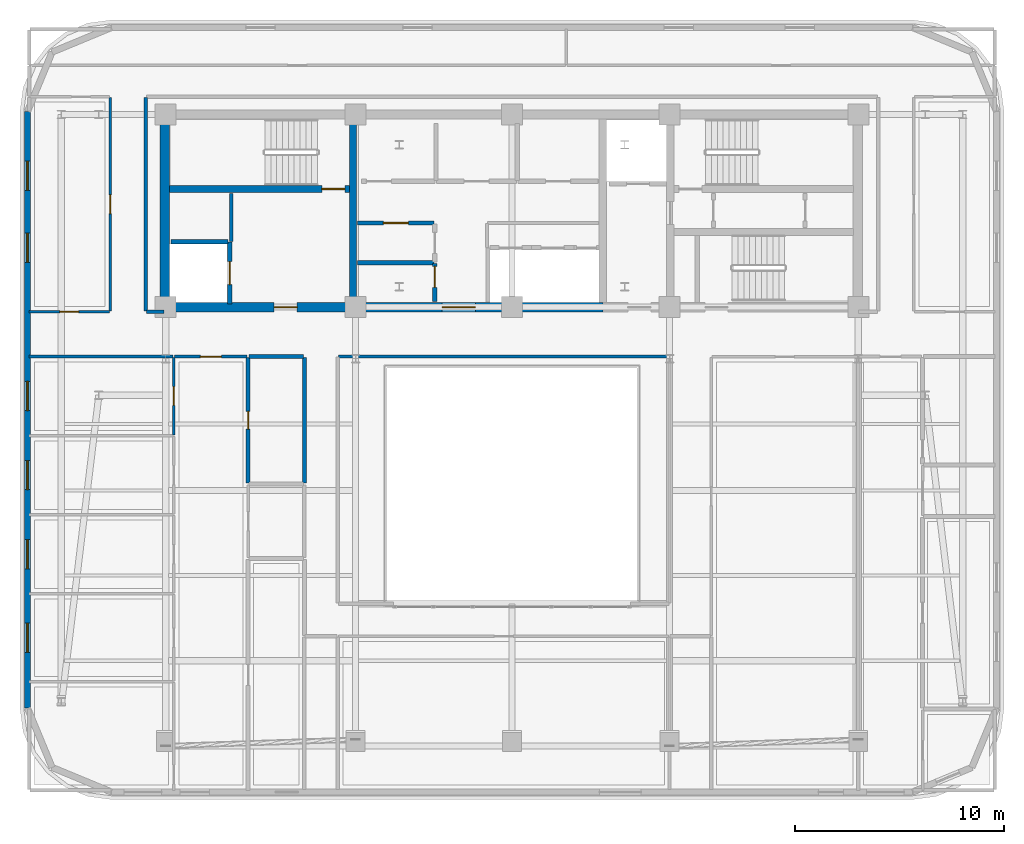
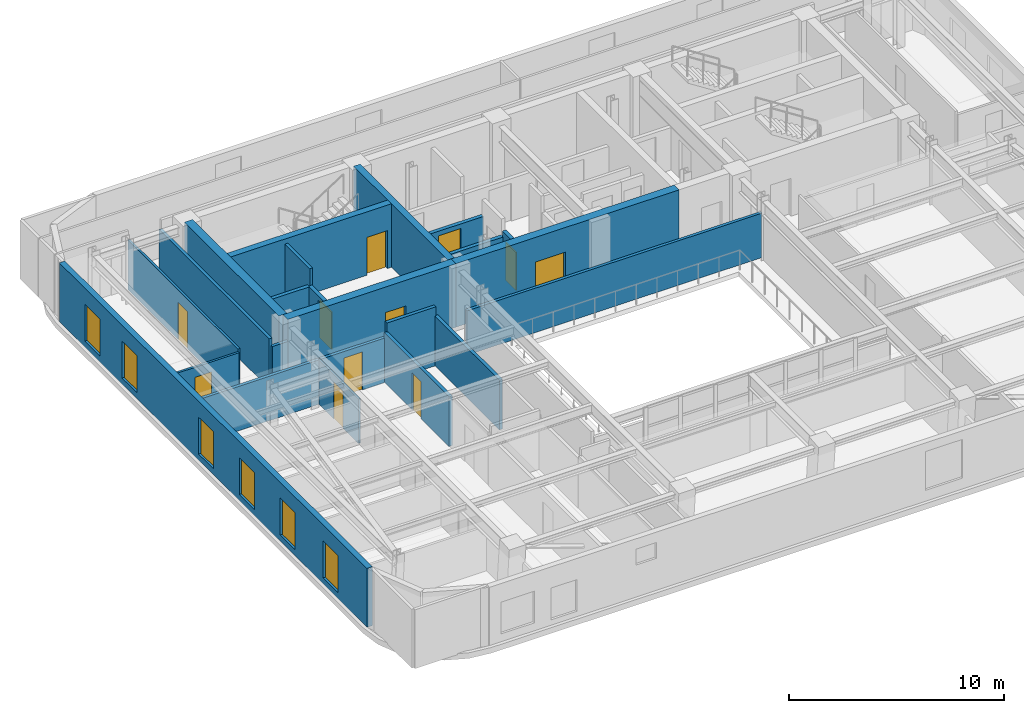
# One storey, part 7 of 14: 23 walls, 11 doors, 6 windows, 17 openings.
"""IFC4 building model written with IfcOpenShell, lengths in metres."""

from ifc_helpers import new_model, si_unit, direction, frame, frame_2d, origin, place, context, subcontext, project, spatial, rectangle, extrude, material, layer, layer_set, type_object, element, fill, save


model = new_model("IFC4")

# Units and contexts
model_context = context("Model", 3, precision=1e-05, world=origin(), true_north=direction((0.0, 1.0)))
body_context = subcontext(model_context, "Body", "Model", "MODEL_VIEW")
ifc_project = project(units=[si_unit("LENGTHUNIT", "METRE"), si_unit("AREAUNIT", "SQUARE_METRE"), si_unit("VOLUMEUNIT", "CUBIC_METRE"), si_unit("PLANEANGLEUNIT", "RADIAN"), si_unit("MASSUNIT", "GRAM", prefix="KILO")], contexts=[model_context])

# Site, building, storey
site_placement = place(None, origin())
site = spatial("IfcSite", under=ifc_project, at=site_placement, CompositionType="ELEMENT")
building_placement = place(site_placement, origin())
building = spatial("IfcBuilding", under=site, at=building_placement, Name="Zarnavel Station Tower", CompositionType="ELEMENT")
storey_placement = place(building_placement, frame((0.0, 0.0, 211.199951171875)))
storey = spatial("IfcBuildingStorey", under=building, at=storey_placement, Name="L57", CompositionType="ELEMENT", Elevation=211.199951171875)

# Wall
ifc_material_1 = material(Name="Concrete C50/60", Category="concrete")
ifc_layer_1 = layer(ifc_material_1, 0.35009765625)
ifc_layer_set_1 = layer_set([ifc_layer_1], Name="CW_350")
wall_type_1 = type_object("IfcWallType", Name="CW_350", PredefinedType="SHEAR", material=ifc_layer_set_1)
wall_1_placement = place(storey_placement, frame((21.179931640625, 28.044921875, 0.0), z_axis=(0.0, 0.0, 1.0), x_axis=(0.0, 1.0, 0.0)))
element("IfcWall", 1, at=wall_1_placement, inside=storey, type_object=wall_type_1, Name="L57 Rear Core Shear Wall DIV-W", PredefinedType="SHEAR", context=body_context, shape_type="SweptSolid", body=[
    extrude(rectangle(XDim=8.780029296875, YDim=0.35009765625, at=frame_2d((4.39013671875, 0.0))), origin(), (0.0, 0.0, 1.0), 3.60009765625),
])

# Wall, opening, door
wall_2_placement = place(storey_placement, frame((21.0048828125, 33.47998046875, 0.0), z_axis=(0.0, 0.0, 1.0), x_axis=(-1.0, 0.0, 0.0)))
wall_2 = element("IfcWall", 2, at=wall_2_placement, inside=storey, type_object=wall_type_1, Name="L57 Rear Core Shear Wall DIV-H1", PredefinedType="SHEAR", context=body_context, shape_type="SweptSolid", body=[
    extrude(rectangle(XDim=8.6298828125, YDim=0.35009765625, at=frame_2d((4.31494140625, 0.0))), origin(), (0.0, 0.0, 1.0), 3.60009765625),
])
opening_1_placement = place(wall_2_placement, frame((0.219970703125, 0.0, 0.0)))
opening_1 = element("IfcOpeningElement", 3, at=opening_1_placement, cuts=wall_2, Name="Opening FD01", PredefinedType="OPENING", context=body_context, shape_type="SweptSolid", body=[
    extrude(rectangle(XDim=1.10009765625, YDim=2.14990234375, at=frame_2d((0.550048828125, 1.074951171875))), frame((0.0, 0.18505859375, 0.0), z_axis=(0.0, -1.0, 0.0), x_axis=(1.0, 0.0, 0.0)), (0.0, 0.0, 1.0), 0.3701171875),
])
ifc_material_2 = material(Name="Painted Galvanised Steel and Hardwood Leaf", Category="steel")
door_type_1 = type_object("IfcDoorType", Name="ID_STAIR_1100", OperationType="NOTDEFINED", PredefinedType="DOOR", material=ifc_material_2)
door_1_placement = place(opening_1_placement, origin())
door_1 = element("IfcDoor", 4, at=door_1_placement, inside=storey, type_object=door_type_1, Name="L57 Stair ST1 Lobby Fire Door", OperationType="SINGLE_SWING_LEFT", OverallHeight=2.14990234375, OverallWidth=1.10009765625, PredefinedType="DOOR", context=body_context, shape_type="SweptSolid", body=[
    extrude(rectangle(XDim=1.10009765625, YDim=2.14990234375, at=frame_2d((0.550048828125, 1.074951171875))), frame((0.0, 0.02490234375, 0.0), z_axis=(0.0, -1.0, 0.0), x_axis=(1.0, 0.0, 0.0)), (0.0, 0.0, 1.0), 0.050048828125),
])
fill(opening_1, door_1)

ifc_material_3 = material(Name="Concrete C50/60", Category="concrete")
ifc_layer_2 = layer(ifc_material_3, 0.449951171875)
ifc_layer_set_2 = layer_set([ifc_layer_2], Name="CW_450")
wall_type_2 = type_object("IfcWallType", Name="CW_450", PredefinedType="SHEAR", material=ifc_layer_set_2)
wall_3_placement = place(storey_placement, frame((21.179931640625, 27.820068359375, 0.0), z_axis=(0.0, 0.0, 1.0), x_axis=(-1.0, 0.0, 0.0)))
wall_3 = element("IfcWall", 5, at=wall_3_placement, inside=storey, type_object=wall_type_2, Name="L57 Rear Core Shear Wall S-W", PredefinedType="SHEAR", context=body_context, shape_type="SweptSolid", body=[
    extrude(rectangle(XDim=9.030029296875, YDim=0.449951171875, at=frame_2d((4.51513671875, 0.0))), origin(), (0.0, 0.0, 1.0), 3.60009765625),
])
opening_2_placement = place(wall_3_placement, frame((2.679931640625, 0.0, 0.0)))
opening_2 = element("IfcOpeningElement", 6, at=opening_2_placement, cuts=wall_3, Name="Opening FD01", PredefinedType="OPENING", context=body_context, shape_type="SweptSolid", body=[
    extrude(rectangle(XDim=1.10009765625, YDim=2.14990234375, at=frame_2d((0.550048828125, 1.074951171875))), frame((0.0, 0.23486328125, 0.0), z_axis=(0.0, -1.0, 0.0), x_axis=(1.0, 0.0, 0.0)), (0.0, 0.0, 1.0), 0.469970703125),
])
door_2_placement = place(opening_2_placement, origin())
door_2 = element("IfcDoor", 7, at=door_2_placement, inside=storey, type_object=door_type_1, Name="L57 West Firefighting Lobby Door", OperationType="SINGLE_SWING_RIGHT", OverallHeight=2.14990234375, OverallWidth=1.10009765625, PredefinedType="DOOR", context=body_context, shape_type="SweptSolid", body=[
    extrude(rectangle(XDim=1.10009765625, YDim=2.14990234375, at=frame_2d((0.550048828125, 1.074951171875))), frame((0.0, 0.02490234375, 0.0), z_axis=(0.0, -1.0, 0.0), x_axis=(1.0, 0.0, 0.0)), (0.0, 0.0, 1.0), 0.050048828125),
])
fill(opening_2, door_2)

wall_4_placement = place(storey_placement, frame((33.14990234375, 27.820068359375, 0.0), z_axis=(0.0, 0.0, 1.0), x_axis=(-1.0, 0.0, 0.0)))
wall_4 = element("IfcWall", 8, at=wall_4_placement, inside=storey, type_object=wall_type_2, Name="L57 Rear Core Shear Wall S-M", PredefinedType="SHEAR", context=body_context, shape_type="SweptSolid", body=[
    extrude(rectangle(XDim=11.969970703125, YDim=0.449951171875, at=frame_2d((5.98486328125, 0.0))), origin(), (0.0, 0.0, 1.0), 3.60009765625),
])
opening_3_placement = place(wall_4_placement, frame((6.10009765625, 0.0, 0.0)))
opening_3 = element("IfcOpeningElement", 9, at=opening_3_placement, cuts=wall_4, Name="Opening ID03", PredefinedType="OPENING", context=body_context, shape_type="SweptSolid", body=[
    extrude(rectangle(XDim=1.60009765625, YDim=2.199951171875, at=frame_2d((0.800048828125, 1.10009765625))), frame((0.0, 0.23486328125, 0.0), z_axis=(0.0, -1.0, 0.0), x_axis=(1.0, 0.0, 0.0)), (0.0, 0.0, 1.0), 0.469970703125),
])
ifc_material_4 = material(Name="Painted Galvanised Steel and Hardwood Leaf", Category="steel")
door_type_2 = type_object("IfcDoorType", Name="ID_PUBLIC_1600", OperationType="DOUBLE_DOOR_SINGLE_SWING", PredefinedType="DOOR", material=ifc_material_4)
door_3_placement = place(opening_3_placement, origin())
door_3 = element("IfcDoor", 10, at=door_3_placement, inside=storey, type_object=door_type_2, Name="L57 Passenger Lift Lobby Double Door", OperationType="SINGLE_SWING_LEFT", OverallHeight=2.199951171875, OverallWidth=1.60009765625, PredefinedType="DOOR", context=body_context, shape_type="SweptSolid", body=[
    extrude(rectangle(XDim=1.60009765625, YDim=2.199951171875, at=frame_2d((0.800048828125, 1.10009765625))), frame((0.0, 0.02490234375, 0.0), z_axis=(0.0, -1.0, 0.0), x_axis=(1.0, 0.0, 0.0)), (0.0, 0.0, 1.0), 0.050048828125),
])
fill(opening_3, door_3)

# Wall
wall_5_placement = place(storey_placement, frame((12.14990234375, 28.044921875, 0.0), z_axis=(0.0, 0.0, 1.0), x_axis=(0.0, 1.0, 0.0)))
element("IfcWall", 11, at=wall_5_placement, inside=storey, type_object=wall_type_2, Name="L57 Rear Core Shear Wall W", PredefinedType="SHEAR", context=body_context, shape_type="SweptSolid", body=[
    extrude(rectangle(XDim=8.780029296875, YDim=0.449951171875, at=frame_2d((4.39013671875, 0.0))), origin(), (0.0, 0.0, 1.0), 3.60009765625),
])

# Wall, openings, windows
ifc_material_5 = material(Name="Precast concrete C45/55 (Dark Basalt Finish)", Category="masonry")
ifc_layer_3 = layer(ifc_material_5, 0.300048828125)
ifc_layer_set_3 = layer_set([ifc_layer_3], Name="EW_BASALT_300")
wall_type_3 = type_object("IfcWallType", Name="EW_BASALT_300", PredefinedType="SOLIDWALL", material=ifc_layer_set_3)
wall_6_placement = place(storey_placement, frame((5.580078125, 8.60009765625, 0.0), z_axis=(0.0, 0.0, 1.0), x_axis=(0.0, 1.0, 0.0)))
wall_6 = element("IfcWall", 12, at=wall_6_placement, inside=storey, type_object=wall_type_3, Name="L57 Exterior Basalt Masonry Frame Wall 09", PredefinedType="SOLIDWALL", context=body_context, shape_type="SweptSolid", body=[
    extrude(rectangle(XDim=28.599853515625, YDim=0.300048828125, at=frame_2d((14.2998046875, 0.0))), origin(), (0.0, 0.0, 1.0), 3.340087890625),
])
opening_4_placement = place(wall_6_placement, frame((21.360107421875, 0.0, 0.340087890625)))
opening_4 = element("IfcOpeningElement", 13, at=opening_4_placement, cuts=wall_6, Name="Opening WN04", PredefinedType="OPENING", context=body_context, shape_type="SweptSolid", body=[
    extrude(rectangle(XDim=1.39990234375, YDim=2.10009765625, at=frame_2d((0.699951171875, 1.050048828125))), frame((0.0, 0.159912109375, 0.0), z_axis=(0.0, -1.0, 0.0), x_axis=(1.0, 0.0, 0.0)), (0.0, 0.0, 1.0), 0.320068359375),
])
opening_5_placement = place(wall_6_placement, frame((24.820068359375, 0.0, 0.340087890625)))
opening_5 = element("IfcOpeningElement", 14, at=opening_5_placement, cuts=wall_6, Name="Opening WN04", PredefinedType="OPENING", context=body_context, shape_type="SweptSolid", body=[
    extrude(rectangle(XDim=1.39990234375, YDim=2.10009765625, at=frame_2d((0.699951171875, 1.050048828125))), frame((0.0, 0.159912109375, 0.0), z_axis=(0.0, -1.0, 0.0), x_axis=(1.0, 0.0, 0.0)), (0.0, 0.0, 1.0), 0.320068359375),
])
opening_6_placement = place(wall_6_placement, frame((2.6708984375, 0.0, 0.340087890625)))
opening_6 = element("IfcOpeningElement", 15, at=opening_6_placement, cuts=wall_6, Name="Opening WN04", PredefinedType="OPENING", context=body_context, shape_type="SweptSolid", body=[
    extrude(rectangle(XDim=1.39990234375, YDim=2.10009765625, at=frame_2d((0.699951171875, 1.050048828125))), frame((0.0, 0.159912109375, 0.0), z_axis=(0.0, -1.0, 0.0), x_axis=(1.0, 0.0, 0.0)), (0.0, 0.0, 1.0), 0.320068359375),
])
opening_7_placement = place(wall_6_placement, frame((6.678955078125, 0.0, 0.340087890625)))
opening_7 = element("IfcOpeningElement", 16, at=opening_7_placement, cuts=wall_6, Name="Opening WN04", PredefinedType="OPENING", context=body_context, shape_type="SweptSolid", body=[
    extrude(rectangle(XDim=1.39990234375, YDim=2.10009765625, at=frame_2d((0.699951171875, 1.050048828125))), frame((0.0, 0.159912109375, 0.0), z_axis=(0.0, -1.0, 0.0), x_axis=(1.0, 0.0, 0.0)), (0.0, 0.0, 1.0), 0.320068359375),
])
opening_8_placement = place(wall_6_placement, frame((10.467041015625, 0.0, 0.340087890625)))
opening_8 = element("IfcOpeningElement", 17, at=opening_8_placement, cuts=wall_6, Name="Opening WN04", PredefinedType="OPENING", context=body_context, shape_type="SweptSolid", body=[
    extrude(rectangle(XDim=1.39990234375, YDim=2.10009765625, at=frame_2d((0.699951171875, 1.050048828125))), frame((0.0, 0.159912109375, 0.0), z_axis=(0.0, -1.0, 0.0), x_axis=(1.0, 0.0, 0.0)), (0.0, 0.0, 1.0), 0.320068359375),
])
opening_9_placement = place(wall_6_placement, frame((14.255615234375, 0.0, 0.340087890625)))
opening_9 = element("IfcOpeningElement", 18, at=opening_9_placement, cuts=wall_6, Name="Opening WN04", PredefinedType="OPENING", context=body_context, shape_type="SweptSolid", body=[
    extrude(rectangle(XDim=1.39990234375, YDim=2.10009765625, at=frame_2d((0.699951171875, 1.050048828125))), frame((0.0, 0.159912109375, 0.0), z_axis=(0.0, -1.0, 0.0), x_axis=(1.0, 0.0, 0.0)), (0.0, 0.0, 1.0), 0.320068359375),
])
ifc_material_6 = material(Name="Thermally Broken Black Aluminium and Low-E Dark Glass", Category="aluminium")
window_type = type_object("IfcWindowType", Name="WN_1400x2100", PartitioningType="DOUBLE_PANEL_VERTICAL", PredefinedType="WINDOW", material=ifc_material_6)
window_1_placement = place(opening_4_placement, origin())
window_1 = element("IfcWindow", 19, at=window_1_placement, inside=storey, type_object=window_type, Name="L57 Recessed Facade Window 01", OverallHeight=2.10009765625, OverallWidth=1.39990234375, PartitioningType="SINGLE_PANEL", PredefinedType="WINDOW", context=body_context, shape_type="SweptSolid", body=[
    extrude(rectangle(XDim=1.39990234375, YDim=2.10009765625, at=frame_2d((0.699951171875, 1.050048828125))), frame((0.0, 0.030029296875, 0.0), z_axis=(0.0, -1.0, 0.0), x_axis=(1.0, 0.0, 0.0)), (0.0, 0.0, 1.0), 0.06005859375),
])
fill(opening_4, window_1)
window_2_placement = place(opening_5_placement, origin())
window_2 = element("IfcWindow", 20, at=window_2_placement, inside=storey, type_object=window_type, Name="L57 Recessed Facade Window 02", OverallHeight=2.10009765625, OverallWidth=1.39990234375, PartitioningType="SINGLE_PANEL", PredefinedType="WINDOW", context=body_context, shape_type="SweptSolid", body=[
    extrude(rectangle(XDim=1.39990234375, YDim=2.10009765625, at=frame_2d((0.699951171875, 1.050048828125))), frame((0.0, 0.030029296875, 0.0), z_axis=(0.0, -1.0, 0.0), x_axis=(1.0, 0.0, 0.0)), (0.0, 0.0, 1.0), 0.06005859375),
])
fill(opening_5, window_2)
window_3_placement = place(opening_6_placement, origin())
window_3 = element("IfcWindow", 21, at=window_3_placement, inside=storey, type_object=window_type, Name="L57 Recessed Facade Window 03", OverallHeight=2.10009765625, OverallWidth=1.39990234375, PartitioningType="SINGLE_PANEL", PredefinedType="WINDOW", context=body_context, shape_type="SweptSolid", body=[
    extrude(rectangle(XDim=1.39990234375, YDim=2.10009765625, at=frame_2d((0.699951171875, 1.050048828125))), frame((0.0, 0.030029296875, 0.0), z_axis=(0.0, -1.0, 0.0), x_axis=(1.0, 0.0, 0.0)), (0.0, 0.0, 1.0), 0.06005859375),
])
fill(opening_6, window_3)
window_4_placement = place(opening_7_placement, origin())
window_4 = element("IfcWindow", 22, at=window_4_placement, inside=storey, type_object=window_type, Name="L57 Recessed Facade Window 04", OverallHeight=2.10009765625, OverallWidth=1.39990234375, PartitioningType="SINGLE_PANEL", PredefinedType="WINDOW", context=body_context, shape_type="SweptSolid", body=[
    extrude(rectangle(XDim=1.39990234375, YDim=2.10009765625, at=frame_2d((0.699951171875, 1.050048828125))), frame((0.0, 0.030029296875, 0.0), z_axis=(0.0, -1.0, 0.0), x_axis=(1.0, 0.0, 0.0)), (0.0, 0.0, 1.0), 0.06005859375),
])
fill(opening_7, window_4)
window_5_placement = place(opening_8_placement, origin())
window_5 = element("IfcWindow", 23, at=window_5_placement, inside=storey, type_object=window_type, Name="L57 Recessed Facade Window 05", OverallHeight=2.10009765625, OverallWidth=1.39990234375, PartitioningType="SINGLE_PANEL", PredefinedType="WINDOW", context=body_context, shape_type="SweptSolid", body=[
    extrude(rectangle(XDim=1.39990234375, YDim=2.10009765625, at=frame_2d((0.699951171875, 1.050048828125))), frame((0.0, 0.030029296875, 0.0), z_axis=(0.0, -1.0, 0.0), x_axis=(1.0, 0.0, 0.0)), (0.0, 0.0, 1.0), 0.06005859375),
])
fill(opening_8, window_5)
window_6_placement = place(opening_9_placement, origin())
window_6 = element("IfcWindow", 24, at=window_6_placement, inside=storey, type_object=window_type, Name="L57 Recessed Facade Window 06", OverallHeight=2.10009765625, OverallWidth=1.39990234375, PartitioningType="SINGLE_PANEL", PredefinedType="WINDOW", context=body_context, shape_type="SweptSolid", body=[
    extrude(rectangle(XDim=1.39990234375, YDim=2.10009765625, at=frame_2d((0.699951171875, 1.050048828125))), frame((0.0, 0.030029296875, 0.0), z_axis=(0.0, -1.0, 0.0), x_axis=(1.0, 0.0, 0.0)), (0.0, 0.0, 1.0), 0.06005859375),
])
fill(opening_9, window_6)

# Wall, opening, door
ifc_material_7 = material(Name="Gypsum Twin-Stud Acoustic Fire Partition", Category="concrete")
ifc_layer_4 = layer(ifc_material_7, 0.159912109375)
ifc_layer_set_4 = layer_set([ifc_layer_4], Name="PT_DEMISE_160")
wall_type_4 = type_object("IfcWallType", Name="PT_DEMISE_160", PredefinedType="PARTITIONING", material=ifc_layer_set_4)
wall_7_placement = place(storey_placement, frame((12.631103515625, 25.449951171875, 0.0), z_axis=(0.0, 0.0, 1.0), x_axis=(1.0, 0.0, 0.0)))
wall_7 = element("IfcWall", 25, at=wall_7_placement, inside=storey, type_object=wall_type_4, Name="L57 Partition COR-S-UW1LV", PredefinedType="PARTITIONING", context=body_context, shape_type="SweptSolid", body=[
    extrude(rectangle(XDim=3.47900390625, YDim=0.159912109375, at=frame_2d((1.739501953125, 0.0))), origin(), (0.0, 0.0, 1.0), 2.52001953125),
])
opening_10_placement = place(wall_7_placement, frame((1.239501953125, 0.0, 0.0)))
opening_10 = element("IfcOpeningElement", 26, at=opening_10_placement, cuts=wall_7, Name="Opening FD02", PredefinedType="OPENING", context=body_context, shape_type="SweptSolid", body=[
    extrude(rectangle(XDim=1.0, YDim=2.14990234375, at=frame_2d((0.5, 1.074951171875))), frame((0.0, 0.08984375, 0.0), z_axis=(0.0, -1.0, 0.0), x_axis=(1.0, 0.0, 0.0)), (0.0, 0.0, 1.0), 0.179931640625),
])
ifc_material_8 = material(Name="Painted Galvanised Steel and Hardwood Leaf", Category="steel")
door_type_3 = type_object("IfcDoorType", Name="ID_ENTRY_1000", OperationType="NOTDEFINED", PredefinedType="DOOR", material=ifc_material_8)
door_4_placement = place(opening_10_placement, origin())
door_4 = element("IfcDoor", 27, at=door_4_placement, inside=storey, type_object=door_type_3, Name="L57 Door COR-S-UW1LV", OperationType="SINGLE_SWING_LEFT", OverallHeight=2.14990234375, OverallWidth=1.0, PredefinedType="DOOR", context=body_context, shape_type="SweptSolid", body=[
    extrude(rectangle(XDim=1.0, YDim=2.14990234375, at=frame_2d((0.5, 1.074951171875))), frame((0.0, 0.02490234375, 0.0), z_axis=(0.0, -1.0, 0.0), x_axis=(1.0, 0.0, 0.0)), (0.0, 0.0, 1.0), 0.050048828125),
])
fill(opening_10, door_4)

# Walls
wall_8_placement = place(storey_placement, frame((5.659912109375, 25.449951171875, 0.0), z_axis=(0.0, 0.0, 1.0), x_axis=(1.0, 0.0, 0.0)))
element("IfcWall", 28, at=wall_8_placement, inside=storey, type_object=wall_type_4, Name="L57 Partition COR-S-UW1B5", PredefinedType="PARTITIONING", context=body_context, shape_type="SweptSolid", body=[
    extrude(rectangle(XDim=6.89111328125, YDim=0.159912109375, at=frame_2d((3.445556640625, 0.0))), origin(), (0.0, 0.0, 1.0), 2.52001953125),
])
wall_9_placement = place(storey_placement, frame((15.35009765625, 30.9599609375, 0.0), z_axis=(0.0, 0.0, 1.0), x_axis=(0.0, 1.0, 0.0)))
element("IfcWall", 29, at=wall_9_placement, inside=storey, type_object=wall_type_4, Name="L57 Enclosure Wall FFL1", PredefinedType="PARTITIONING", context=body_context, shape_type="SweptSolid", body=[
    extrude(rectangle(XDim=2.31005859375, YDim=0.159912109375, at=frame_2d((1.155029296875, 0.0))), origin(), (0.0, 0.0, 1.0), 3.340087890625),
])
wall_10_placement = place(storey_placement, frame((20.47998046875, 25.449951171875, 0.0), z_axis=(0.0, 0.0, 1.0), x_axis=(1.0, 0.0, 0.0)))
element("IfcWall", 30, at=wall_10_placement, inside=storey, type_object=wall_type_4, Name="L57 Enclosure Wall COR-S", PredefinedType="PARTITIONING", context=body_context, shape_type="SweptSolid", body=[
    extrude(rectangle(XDim=15.840087890625, YDim=0.159912109375, at=frame_2d((7.919921875, 0.0))), origin(), (0.0, 0.0, 1.0), 2.52001953125),
])
wall_11_placement = place(storey_placement, frame((11.280029296875, 27.60009765625, 0.0), z_axis=(0.0, 0.0, 1.0), x_axis=(1.0, 0.0, 0.0)))
element("IfcWall", 31, at=wall_11_placement, inside=storey, type_object=wall_type_4, Name="L57 Enclosure Wall COR-S", PredefinedType="PARTITIONING", context=body_context, shape_type="SweptSolid", body=[
    extrude(rectangle(XDim=0.840087890625, YDim=0.159912109375, at=frame_2d((0.419921875, 0.0))), origin(), (0.0, 0.0, 1.0), 2.41015625),
])
wall_12_placement = place(storey_placement, frame((11.25, 27.6298828125, 0.0), z_axis=(0.0, 0.0, 1.0), x_axis=(0.0, 1.0, 0.0)))
element("IfcWall", 32, at=wall_12_placement, inside=storey, type_object=wall_type_4, Name="L57 Enclosure Wall COR-W", PredefinedType="PARTITIONING", context=body_context, shape_type="SweptSolid", body=[
    extrude(rectangle(XDim=10.240234375, YDim=0.159912109375, at=frame_2d((5.1201171875, 0.0))), origin(), (0.0, 0.0, 1.0), 2.820068359375),
])

# Wall, opening, door
ifc_material_9 = material(Name="Gypsum Metal-Stud Interior Partition", Category="concrete")
ifc_layer_5 = layer(ifc_material_9, 0.1201171875)
ifc_layer_set_5 = layer_set([ifc_layer_5], Name="PT_ROOM_120")
wall_type_5 = type_object("IfcWallType", Name="PT_ROOM_120", PredefinedType="PARTITIONING", material=ifc_layer_set_5)
wall_13_placement = place(storey_placement, frame((5.659912109375, 27.60009765625, 0.0), z_axis=(0.0, 0.0, 1.0), x_axis=(1.0, 0.0, 0.0)))
wall_13 = element("IfcWall", 33, at=wall_13_placement, inside=storey, type_object=wall_type_5, Name="L57 Partition COR-S-FNW", PredefinedType="PARTITIONING", context=body_context, shape_type="SweptSolid", body=[
    extrude(rectangle(XDim=3.85009765625, YDim=0.1201171875, at=frame_2d((1.925048828125, 0.0))), origin(), (0.0, 0.0, 1.0), 2.670166015625),
])
opening_11_placement = place(wall_13_placement, frame((1.47509765625, 0.0, 0.0)))
opening_11 = element("IfcOpeningElement", 34, at=opening_11_placement, cuts=wall_13, Name="Opening ID01", PredefinedType="OPENING", context=body_context, shape_type="SweptSolid", body=[
    extrude(rectangle(XDim=0.89990234375, YDim=2.10009765625, at=frame_2d((0.449951171875, 1.050048828125))), frame((0.0, 0.070068359375, 0.0), z_axis=(0.0, -1.0, 0.0), x_axis=(1.0, 0.0, 0.0)), (0.0, 0.0, 1.0), 0.14013671875),
])
ifc_material_10 = material(Name="Painted Galvanised Steel and Hardwood Leaf", Category="steel")
door_type_4 = type_object("IfcDoorType", Name="ID_ROOM_900", OperationType="NOTDEFINED", PredefinedType="DOOR", material=ifc_material_10)
door_5_placement = place(opening_11_placement, origin())
door_5 = element("IfcDoor", 35, at=door_5_placement, inside=storey, type_object=door_type_4, Name="L57 Door COR-S-FNW", OperationType="SINGLE_SWING_LEFT", OverallHeight=2.10009765625, OverallWidth=0.89990234375, PredefinedType="DOOR", context=body_context, shape_type="SweptSolid", body=[
    extrude(rectangle(XDim=0.89990234375, YDim=2.10009765625, at=frame_2d((0.449951171875, 1.050048828125))), frame((0.0, 0.02490234375, 0.0), z_axis=(0.0, -1.0, 0.0), x_axis=(1.0, 0.0, 0.0)), (0.0, 0.0, 1.0), 0.050048828125),
])
fill(opening_11, door_5)

wall_14_placement = place(storey_placement, frame((9.550048828125, 27.639892578125, 0.0), z_axis=(0.0, 0.0, 1.0), x_axis=(0.0, 1.0, 0.0)))
wall_14 = element("IfcWall", 36, at=wall_14_placement, inside=storey, type_object=wall_type_5, Name="L57 Partition COR-W-FNW", PredefinedType="PARTITIONING", context=body_context, shape_type="SweptSolid", body=[
    extrude(rectangle(XDim=10.22021484375, YDim=0.1201171875, at=frame_2d((5.110107421875, 0.0))), origin(), (0.0, 0.0, 1.0), 2.820068359375),
])
opening_12_placement = place(wall_14_placement, frame((4.659912109375, 0.0, 0.0)))
opening_12 = element("IfcOpeningElement", 37, at=opening_12_placement, cuts=wall_14, Name="Opening ID01", PredefinedType="OPENING", context=body_context, shape_type="SweptSolid", body=[
    extrude(rectangle(XDim=0.89990234375, YDim=2.10009765625, at=frame_2d((0.449951171875, 1.050048828125))), frame((0.0, 0.070068359375, 0.0), z_axis=(0.0, -1.0, 0.0), x_axis=(1.0, 0.0, 0.0)), (0.0, 0.0, 1.0), 0.14013671875),
])
door_6_placement = place(opening_12_placement, origin())
door_6 = element("IfcDoor", 38, at=door_6_placement, inside=storey, type_object=door_type_4, Name="L57 Door COR-W-FNW", OperationType="SINGLE_SWING_RIGHT", OverallHeight=2.10009765625, OverallWidth=0.89990234375, PredefinedType="DOOR", context=body_context, shape_type="SweptSolid", body=[
    extrude(rectangle(XDim=0.89990234375, YDim=2.10009765625, at=frame_2d((0.449951171875, 1.050048828125))), frame((0.0, 0.02490234375, 0.0), z_axis=(0.0, -1.0, 0.0), x_axis=(1.0, 0.0, 0.0)), (0.0, 0.0, 1.0), 0.050048828125),
])
fill(opening_12, door_6)

wall_15_placement = place(storey_placement, frame((12.591064453125, 21.700927734375, 0.0), z_axis=(0.0, 0.0, 1.0), x_axis=(0.0, 1.0, 0.0)))
wall_15 = element("IfcWall", 39, at=wall_15_placement, inside=storey, type_object=wall_type_5, Name="L57 Partition UW1LV-UW1B5", PredefinedType="PARTITIONING", context=body_context, shape_type="SweptSolid", body=[
    extrude(rectangle(XDim=3.708984375, YDim=0.1201171875, at=frame_2d((1.8544921875, 0.0))), origin(), (0.0, 0.0, 1.0), 2.52001953125),
])
opening_13_placement = place(wall_15_placement, frame((1.404541015625, 0.0, 0.0)))
opening_13 = element("IfcOpeningElement", 40, at=opening_13_placement, cuts=wall_15, Name="Opening ID01", PredefinedType="OPENING", context=body_context, shape_type="SweptSolid", body=[
    extrude(rectangle(XDim=0.89990234375, YDim=2.10009765625, at=frame_2d((0.449951171875, 1.050048828125))), frame((0.0, 0.070068359375, 0.0), z_axis=(0.0, -1.0, 0.0), x_axis=(1.0, 0.0, 0.0)), (0.0, 0.0, 1.0), 0.14013671875),
])
door_7_placement = place(opening_13_placement, origin())
door_7 = element("IfcDoor", 41, at=door_7_placement, inside=storey, type_object=door_type_4, Name="L57 Door UW1LV-UW1B5", OperationType="SINGLE_SWING_LEFT", OverallHeight=2.10009765625, OverallWidth=0.89990234375, PredefinedType="DOOR", context=body_context, shape_type="SweptSolid", body=[
    extrude(rectangle(XDim=0.89990234375, YDim=2.10009765625, at=frame_2d((0.449951171875, 1.050048828125))), frame((0.0, 0.02490234375, 0.0), z_axis=(0.0, -1.0, 0.0), x_axis=(1.0, 0.0, 0.0)), (0.0, 0.0, 1.0), 0.050048828125),
])
fill(opening_13, door_7)

ifc_material_11 = material(Name="Precast concrete C45/55 (Fire Shaft Blockwork)", Category="masonry")
ifc_layer_6 = layer(ifc_material_11, 0.199951171875)
ifc_layer_set_6 = layer_set([ifc_layer_6], Name="PT_SHAFT_200")
wall_type_6 = type_object("IfcWallType", Name="PT_SHAFT_200", PredefinedType="PARTITIONING", material=ifc_layer_set_6)
wall_16_placement = place(storey_placement, frame((15.27001953125, 27.969970703125, 0.0), z_axis=(0.0, 0.0, 1.0), x_axis=(0.0, 1.0, 0.0)))
wall_16 = element("IfcWall", 42, at=wall_16_placement, inside=storey, type_object=wall_type_6, Name="L57 Lift FFL-01 Shaft Front Wall", PredefinedType="PARTITIONING", context=body_context, shape_type="SweptSolid", body=[
    extrude(rectangle(XDim=2.9599609375, YDim=0.199951171875, at=frame_2d((1.47998046875, 0.0))), origin(), (0.0, 0.0, 1.0), 2.41015625),
])
opening_14_placement = place(wall_16_placement, frame((0.929931640625, 0.0, 0.0)))
opening_14 = element("IfcOpeningElement", 43, at=opening_14_placement, cuts=wall_16, Name="Opening LD01", PredefinedType="OPENING", context=body_context, shape_type="SweptSolid", body=[
    extrude(rectangle(XDim=1.10009765625, YDim=2.14990234375, at=frame_2d((0.550048828125, 1.074951171875))), frame((0.0, 0.10986328125, 0.0), z_axis=(0.0, -1.0, 0.0), x_axis=(1.0, 0.0, 0.0)), (0.0, 0.0, 1.0), 0.219970703125),
])
ifc_material_12 = material(Name="Painted Galvanised Steel and Hardwood Leaf", Category="steel")
door_type_5 = type_object("IfcDoorType", Name="LD_FF_1100", OperationType="DOUBLE_DOOR_SLIDING", PredefinedType="DOOR", material=ifc_material_12)
door_8_placement = place(opening_14_placement, origin())
door_8 = element("IfcDoor", 44, at=door_8_placement, inside=storey, type_object=door_type_5, Name="L57 Lift FFL-01 Sliding Landing Door", OperationType="DOUBLE_DOOR_SLIDING", OverallHeight=2.14990234375, OverallWidth=1.10009765625, PredefinedType="DOOR", context=body_context, shape_type="SweptSolid", body=[
    extrude(rectangle(XDim=1.10009765625, YDim=2.14990234375, at=frame_2d((0.550048828125, 1.074951171875))), frame((0.0, 0.02490234375, 0.0), z_axis=(0.0, -1.0, 0.0), x_axis=(1.0, 0.0, 0.0)), (0.0, 0.0, 1.0), 0.050048828125),
])
fill(opening_14, door_8)

# Wall
wall_17_placement = place(storey_placement, frame((12.449951171875, 30.949951171875, 0.0), z_axis=(0.0, 0.0, 1.0), x_axis=(1.0, 0.0, 0.0)))
element("IfcWall", 45, at=wall_17_placement, inside=storey, type_object=wall_type_6, Name="L57 Lift FFL-01 North Shaft Wall", PredefinedType="PARTITIONING", context=body_context, shape_type="SweptSolid", body=[
    extrude(rectangle(XDim=2.75, YDim=0.199951171875, at=frame_2d((1.375, 0.0))), origin(), (0.0, 0.0, 1.0), 2.41015625),
])

# Wall, opening, door
wall_18_placement = place(storey_placement, frame((21.39990234375, 31.85009765625, 0.0), z_axis=(0.0, 0.0, 1.0), x_axis=(1.0, 0.0, 0.0)))
wall_18 = element("IfcWall", 46, at=wall_18_placement, inside=storey, type_object=wall_type_6, Name="L57 Partition LLOB-CS2", PredefinedType="PARTITIONING", context=body_context, shape_type="SweptSolid", body=[
    extrude(rectangle(XDim=3.66015625, YDim=0.199951171875, at=frame_2d((1.830078125, 0.0))), origin(), (0.0, 0.0, 1.0), 2.41015625),
])
opening_15_placement = place(wall_18_placement, frame((1.22998046875, 0.0, 0.0)))
opening_15 = element("IfcOpeningElement", 47, at=opening_15_placement, cuts=wall_18, Name="Opening FD03", PredefinedType="OPENING", context=body_context, shape_type="SweptSolid", body=[
    extrude(rectangle(XDim=1.199951171875, YDim=2.14990234375, at=frame_2d((0.60009765625, 1.074951171875))), frame((0.0, 0.10986328125, 0.0), z_axis=(0.0, -1.0, 0.0), x_axis=(1.0, 0.0, 0.0)), (0.0, 0.0, 1.0), 0.219970703125),
])
ifc_material_13 = material(Name="Painted Galvanised Steel and Hardwood Leaf", Category="steel")
door_type_6 = type_object("IfcDoorType", Name="ID_PLANT_1200", OperationType="NOTDEFINED", PredefinedType="DOOR", material=ifc_material_13)
door_9_placement = place(opening_15_placement, origin())
door_9 = element("IfcDoor", 48, at=door_9_placement, inside=storey, type_object=door_type_6, Name="L57 Door LLOB-CS2", OperationType="SINGLE_SWING_LEFT", OverallHeight=2.14990234375, OverallWidth=1.199951171875, PredefinedType="DOOR", context=body_context, shape_type="SweptSolid", body=[
    extrude(rectangle(XDim=1.199951171875, YDim=2.14990234375, at=frame_2d((0.60009765625, 1.074951171875))), frame((0.0, 0.02490234375, 0.0), z_axis=(0.0, -1.0, 0.0), x_axis=(1.0, 0.0, 0.0)), (0.0, 0.0, 1.0), 0.050048828125),
])
fill(opening_15, door_9)

wall_19_placement = place(storey_placement, frame((25.10009765625, 28.090087890625, 0.0), z_axis=(0.0, 0.0, 1.0), x_axis=(0.0, 1.0, 0.0)))
wall_19 = element("IfcWall", 49, at=wall_19_placement, inside=storey, type_object=wall_type_6, Name="L57 Partition LLOBS-CS1", PredefinedType="PARTITIONING", context=body_context, shape_type="SweptSolid", body=[
    extrude(rectangle(XDim=1.81982421875, YDim=0.199951171875, at=frame_2d((0.909912109375, 0.0))), origin(), (0.0, 0.0, 1.0), 2.719970703125),
])
opening_16_placement = place(wall_19_placement, frame((0.679931640625, 0.0, 0.0)))
opening_16 = element("IfcOpeningElement", 50, at=opening_16_placement, cuts=wall_19, Name="Opening FD02", PredefinedType="OPENING", context=body_context, shape_type="SweptSolid", body=[
    extrude(rectangle(XDim=1.0, YDim=2.14990234375, at=frame_2d((0.5, 1.074951171875))), frame((0.0, 0.10986328125, 0.0), z_axis=(0.0, -1.0, 0.0), x_axis=(1.0, 0.0, 0.0)), (0.0, 0.0, 1.0), 0.219970703125),
])
door_10_placement = place(opening_16_placement, origin())
door_10 = element("IfcDoor", 51, at=door_10_placement, inside=storey, type_object=door_type_3, Name="L57 Door LLOBS-CS1", OperationType="SINGLE_SWING_LEFT", OverallHeight=2.14990234375, OverallWidth=1.0, PredefinedType="DOOR", context=body_context, shape_type="SweptSolid", body=[
    extrude(rectangle(XDim=1.0, YDim=2.14990234375, at=frame_2d((0.5, 1.074951171875))), frame((0.0, 0.02490234375, 0.0), z_axis=(0.0, -1.0, 0.0), x_axis=(1.0, 0.0, 0.0)), (0.0, 0.0, 1.0), 0.050048828125),
])
fill(opening_16, door_10)

# Walls
wall_20_placement = place(storey_placement, frame((21.39990234375, 29.949951171875, 0.0), z_axis=(0.0, 0.0, 1.0), x_axis=(1.0, 0.0, 0.0)))
element("IfcWall", 52, at=wall_20_placement, inside=storey, type_object=wall_type_6, Name="L57 Partition CS1-CS2", PredefinedType="PARTITIONING", context=body_context, shape_type="SweptSolid", body=[
    extrude(rectangle(XDim=3.66015625, YDim=0.199951171875, at=frame_2d((1.830078125, 0.0))), origin(), (0.0, 0.0, 1.0), 2.41015625),
])
ifc_material_14 = material(Name="Moisture-Resistant Plumbing Chase Wall", Category="concrete")
ifc_layer_7 = layer(ifc_material_14, 0.179931640625)
ifc_layer_set_7 = layer_set([ifc_layer_7], Name="PW_PLUMB_180")
wall_type_7 = type_object("IfcWallType", Name="PW_PLUMB_180", PredefinedType="PLUMBINGWALL", material=ifc_layer_set_7)
wall_21_placement = place(storey_placement, frame((16.18994140625, 25.449951171875, 0.0), z_axis=(0.0, 0.0, 1.0), x_axis=(1.0, 0.0, 0.0)))
element("IfcWall", 53, at=wall_21_placement, inside=storey, type_object=wall_type_7, Name="L57 Partition COR-S-UW1BA", PredefinedType="PLUMBINGWALL", context=body_context, shape_type="SweptSolid", body=[
    extrude(rectangle(XDim=2.6201171875, YDim=0.179931640625, at=frame_2d((1.31005859375, 0.0))), origin(), (0.0, 0.0, 1.0), 3.340087890625),
])
wall_22_placement = place(storey_placement, frame((18.85009765625, 19.37890625, 0.0), z_axis=(0.0, 0.0, 1.0), x_axis=(0.0, 1.0, 0.0)))
element("IfcWall", 54, at=wall_22_placement, inside=storey, type_object=wall_type_7, Name="L57 Partition COR-AW-UW1BA", PredefinedType="PLUMBINGWALL", context=body_context, shape_type="SweptSolid", body=[
    extrude(rectangle(XDim=6.031005859375, YDim=0.179931640625, at=frame_2d((3.015625, 0.0))), origin(), (0.0, 0.0, 1.0), 2.820068359375),
])

# Wall, opening, door
wall_23_placement = place(storey_placement, frame((16.14990234375, 19.37890625, 0.0), z_axis=(0.0, 0.0, 1.0), x_axis=(0.0, 1.0, 0.0)))
wall_23 = element("IfcWall", 55, at=wall_23_placement, inside=storey, type_object=wall_type_7, Name="L57 Partition UW1LV-UW1BA", PredefinedType="PLUMBINGWALL", context=body_context, shape_type="SweptSolid", body=[
    extrude(rectangle(XDim=6.031005859375, YDim=0.179931640625, at=frame_2d((3.015625, 0.0))), origin(), (0.0, 0.0, 1.0), 2.820068359375),
])
opening_17_placement = place(wall_23_placement, frame((2.590576171875, 0.0, 0.0)))
opening_17 = element("IfcOpeningElement", 56, at=opening_17_placement, cuts=wall_23, Name="Opening ID02", PredefinedType="OPENING", context=body_context, shape_type="SweptSolid", body=[
    extrude(rectangle(XDim=0.85009765625, YDim=2.10009765625, at=frame_2d((0.425048828125, 1.050048828125))), frame((0.0, 0.099853515625, 0.0), z_axis=(0.0, -1.0, 0.0), x_axis=(1.0, 0.0, 0.0)), (0.0, 0.0, 1.0), 0.199951171875),
])
ifc_material_15 = material(Name="Painted Galvanised Steel and Hardwood Leaf", Category="steel")
door_type_7 = type_object("IfcDoorType", Name="ID_BATH_850", OperationType="NOTDEFINED", PredefinedType="DOOR", material=ifc_material_15)
door_11_placement = place(opening_17_placement, origin())
door_11 = element("IfcDoor", 57, at=door_11_placement, inside=storey, type_object=door_type_7, Name="L57 Door UW1LV-UW1BA", OperationType="SINGLE_SWING_RIGHT", OverallHeight=2.10009765625, OverallWidth=0.85009765625, PredefinedType="DOOR", context=body_context, shape_type="SweptSolid", body=[
    extrude(rectangle(XDim=0.85009765625, YDim=2.10009765625, at=frame_2d((0.425048828125, 1.050048828125))), frame((0.0, 0.02490234375, 0.0), z_axis=(0.0, -1.0, 0.0), x_axis=(1.0, 0.0, 0.0)), (0.0, 0.0, 1.0), 0.050048828125),
])
fill(opening_17, door_11)

save(model, "model.ifc")
